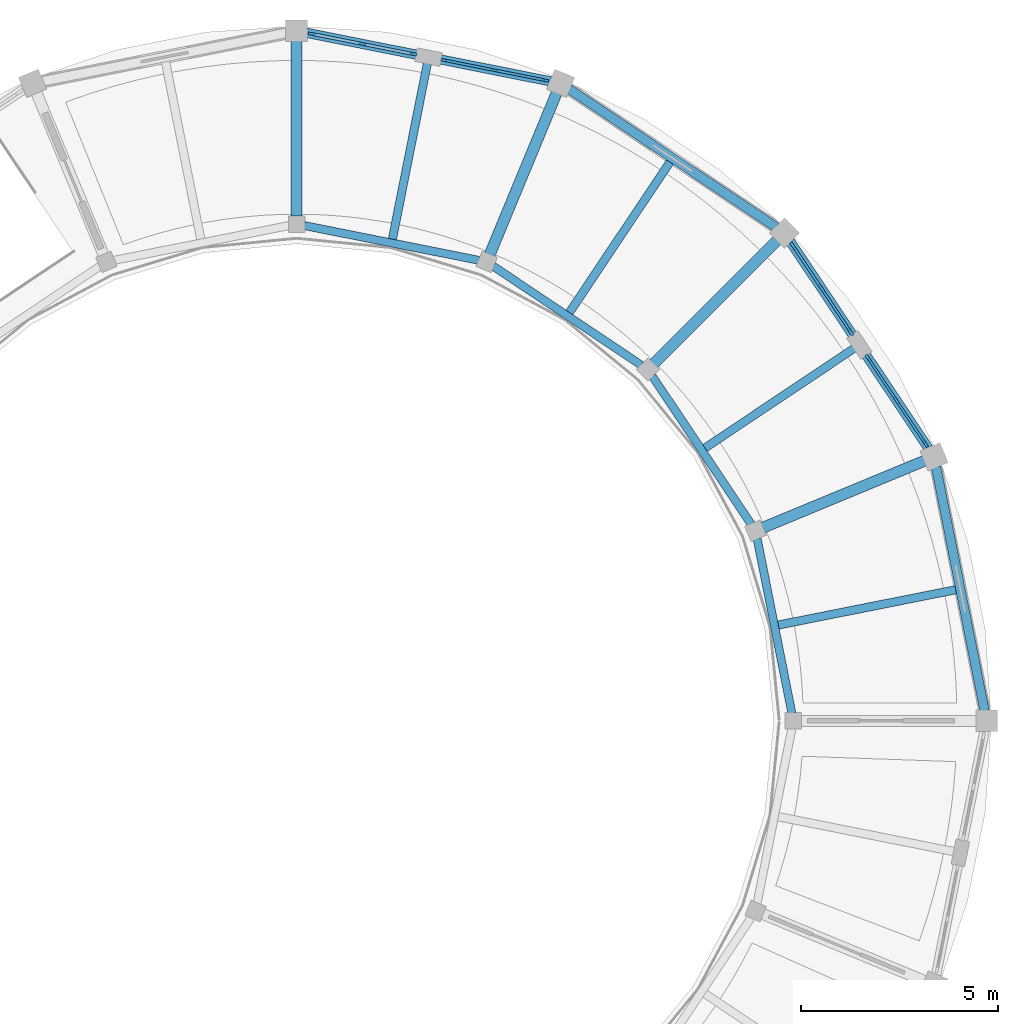
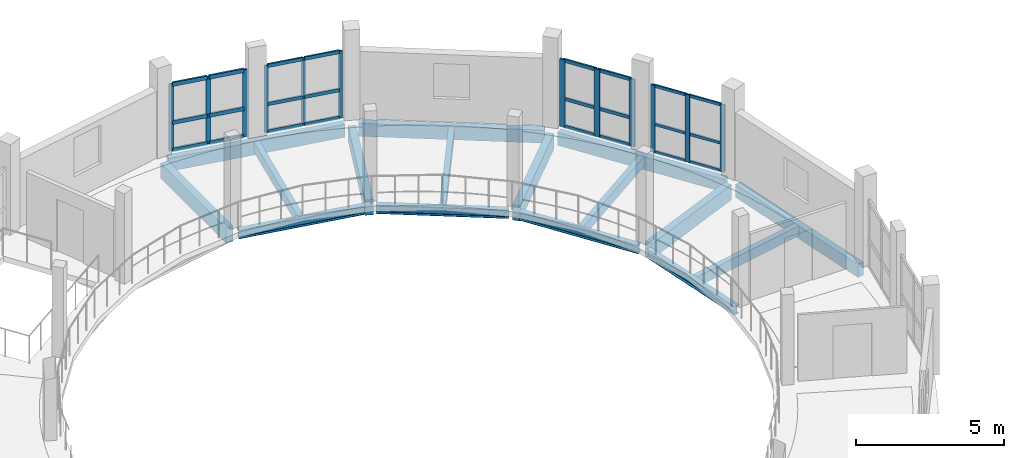
# One storey, part 44 of 77: 36 members, 16 beams, 4 elements without a shape of their own.
"""IFC4 building model written with IfcOpenShell, lengths in metres."""

from ifc_helpers import new_model, si_unit, direction, frame, origin, origin_2d, place, context, subcontext, project, spatial, rectangle, i_section, extrude, material, layer, layer_set, material_profile, profile_set, type_object, element, aggregate, save


model = new_model("IFC4")

# Units and contexts
model_context = context("Model", 3, precision=1e-05, world=origin(), true_north=direction((0.0, 1.0)))
body_context = subcontext(model_context, "Body", "Model", "MODEL_VIEW")
ifc_project = project(units=[si_unit("LENGTHUNIT", "METRE"), si_unit("AREAUNIT", "SQUARE_METRE"), si_unit("VOLUMEUNIT", "CUBIC_METRE"), si_unit("PLANEANGLEUNIT", "RADIAN"), si_unit("MASSUNIT", "GRAM", prefix="KILO")], contexts=[model_context])

# Site, building, storey
site_placement = place(None, origin())
site = spatial("IfcSite", under=ifc_project, at=site_placement, CompositionType="ELEMENT")
building_placement = place(site_placement, origin())
building = spatial("IfcBuilding", under=site, at=building_placement, Name="Caldaven Crescent School", CompositionType="ELEMENT")
storey_placement = place(building_placement, frame((0.0, 0.0, 4.419921875)))
storey = spatial("IfcBuildingStorey", under=building, at=storey_placement, Name="L01", CompositionType="ELEMENT", Elevation=4.419921875)

# Beams
ifc_material_1 = material(Name="Glulam MLE24h (GL28h)", Category="wood")
ifc_material_profile_1 = material_profile(ifc_material_1, rectangle(XDim=0.280029296875, YDim=0.6298828125, at=origin_2d()), Name="MLE 280x630")
ifc_profile_set_1 = profile_set([ifc_material_profile_1], Name="Glulam MLE24h (GL28h)")
beam_type_1 = type_object("IfcBeamType", Name="BM-GL63", PredefinedType="BEAM", material=ifc_profile_set_1)
beam_1_placement = place(storey_placement, frame((164.32568359375, 103.3984375, -0.534912109375), z_axis=(0.923891512961, 0.382654507719, 0.0), x_axis=(-0.382654507719, 0.923891512961, 0.0)))
element("IfcBeam", 1, at=beam_1_placement, inside=storey, type_object=beam_type_1, Name="BM-V1-L01-0086", PredefinedType="BEAM", context=body_context, shape_type="SweptSolid", body=[
    extrude(rectangle(XDim=0.280029296875, YDim=0.6298828125, at=origin_2d()), origin(), (0.0, 0.0, 1.0), 4.43994140625),
])
beam_2_placement = place(storey_placement, frame((161.551025390625, 107.551025390625, -0.534912109375), z_axis=(0.707106781187, 0.707106781187, 0.0), x_axis=(-0.707106781187, 0.707106781187, 0.0)))
element("IfcBeam", 2, at=beam_2_placement, inside=storey, type_object=beam_type_1, Name="BM-V1-L01-0090", PredefinedType="BEAM", context=body_context, shape_type="SweptSolid", body=[
    extrude(rectangle(XDim=0.280029296875, YDim=0.6298828125, at=origin_2d()), origin(), (0.0, 0.0, 1.0), 4.439697265625),
])
for number, where, z_axis, x_axis, name in (
    (3, (157.3984375, 110.32568359375, -0.534912109375), (0.382654507719, 0.923891512961, 0.0), (-0.923891512961, 0.382654507719, 0.0), "BM-V1-L01-0094"),
    (4, (152.5, 111.300048828125, -0.534912109375), (0.0, 1.0, 0.0), (-1.0, 0.0, 0.0), "BM-V1-L01-0098"),
):
    element("IfcBeam", number, at=place(storey_placement, frame(where, z_axis=z_axis, x_axis=x_axis)), inside=storey, type_object=beam_type_1, Name=name, PredefinedType="BEAM", context=body_context, shape_type="SweptSolid", body=[
        extrude(rectangle(XDim=0.280029296875, YDim=0.6298828125, at=origin_2d()), origin(), (0.0, 0.0, 1.0), 4.43994140625),
    ])
ifc_material_2 = material(Name="Steel ASTM A572 Grade 50", Category="steel")
ifc_material_profile_2 = material_profile(ifc_material_2, i_section(OverallWidth=0.205078125, OverallDepth=0.35400390625, WebThickness=0.009521484375, FlangeThickness=0.016845703125, FilletRadius=0.014892578125, at=origin_2d()), Name="W360x79")
ifc_profile_set_2 = profile_set([ifc_material_profile_2], Name="Steel ASTM A572 Grade 50")
beam_type_2 = type_object("IfcBeamType", Name="BM-W36", PredefinedType="BEAM", material=ifc_profile_set_2)
beam_3_placement = place(storey_placement, frame((165.06103515625, 98.696044921875, -0.39697265625), z_axis=(-0.195086890453, 0.980785962977, 0.0), x_axis=(-0.980785962977, -0.195086890453, 0.0)))
element("IfcBeam", 5, at=beam_3_placement, inside=storey, type_object=beam_type_2, Name="BM-V1-L01-0083", PredefinedType="BEAM", context=body_context, shape_type="SweptSolid", body=[
    extrude(i_section(OverallWidth=0.205078125, OverallDepth=0.35400390625, WebThickness=0.009521484375, FlangeThickness=0.016845703125, FilletRadius=0.014892578125, at=origin_2d()), origin(), (0.0, 0.0, 1.0), 4.516357421875),
])
for number, where, z_axis, x_axis, name in (
    (6, (164.02978515625, 103.488037109375, -0.39697265625), (-0.55556067933, 0.831475995794, 0.0), (-0.831475995794, -0.55556067933, 0.0), "BM-V1-L01-0087"),
    (7, (161.2431640625, 107.520751953125, -0.39697265625), (-0.831475995794, 0.55556067933, 0.0), (-0.55556067933, -0.831475995794, 0.0), "BM-V1-L01-0091"),
):
    element("IfcBeam", number, at=place(storey_placement, frame(where, z_axis=z_axis, x_axis=x_axis)), inside=storey, type_object=beam_type_2, Name=name, PredefinedType="BEAM", context=body_context, shape_type="SweptSolid", body=[
        extrude(i_section(OverallWidth=0.205078125, OverallDepth=0.35400390625, WebThickness=0.009521484375, FlangeThickness=0.016845703125, FilletRadius=0.014892578125, at=origin_2d()), origin(), (0.0, 0.0, 1.0), 4.51611328125),
    ])
beam_4_placement = place(storey_placement, frame((157.125732421875, 110.179931640625, -0.39697265625), z_axis=(-0.980785962977, 0.195086890453, 0.0), x_axis=(-0.195086890453, -0.980785962977, 0.0)))
element("IfcBeam", 8, at=beam_4_placement, inside=storey, type_object=beam_type_2, Name="BM-V1-L01-0095", PredefinedType="BEAM", context=body_context, shape_type="SweptSolid", body=[
    extrude(i_section(OverallWidth=0.205078125, OverallDepth=0.35400390625, WebThickness=0.009521484375, FlangeThickness=0.016845703125, FilletRadius=0.014892578125, at=origin_2d()), origin(), (0.0, 0.0, 1.0), 4.516357421875),
])

# Curtain wall, members
ifc_material_3 = material(Name="Anodised aluminium AA 6063-T6 and low-E double glazing", Category="aluminium")
ifc_layer_1 = layer(ifc_material_3, 0.22998046875)
ifc_layer_set_1 = layer_set([ifc_layer_1], Name="Anodised aluminium AA 6063-T6 and low-E double glazing")
curtain_wall_type_1 = type_object("IfcCurtainWallType", Name="CW-SYS4", PredefinedType="NOTDEFINED", material=ifc_layer_set_1)
curtain_wall_1_placement = place(storey_placement, origin())
curtain_wall_1 = element("IfcCurtainWall", 9, at=curtain_wall_1_placement, inside=storey, type_object=curtain_wall_type_1, Name="CW-L01-019", PredefinedType="NOTDEFINED")
ifc_material_4 = material(Name="Anodised aluminium AA 6063-T6", Category="aluminium")
ifc_material_profile_3 = material_profile(ifc_material_4, rectangle(XDim=0.06005859375, YDim=0.14990234375, at=origin_2d()), Name="CWM 60x150")
ifc_profile_set_3 = profile_set([ifc_material_profile_3], Name="Anodised aluminium AA 6063-T6")
member_type_1 = type_object("IfcMemberType", Name="CWM-T1", PredefinedType="MULLION", material=ifc_profile_set_3)
member_1_placement = place(storey_placement, frame((158.814453125, 114.743896484375, 0.0), z_axis=(0.0, 0.0, 1.0), x_axis=(-0.195090276825, -0.980785289392, 0.0)))
member_1 = element("IfcMember", 10, at=member_1_placement, type_object=member_type_1, Name="CW4 mullion 1", PredefinedType="MULLION", context=body_context, shape_type="SweptSolid", body=[
    extrude(rectangle(XDim=0.06005859375, YDim=0.14990234375, at=origin_2d()), origin(), (0.0, 0.0, 1.0), 2.780029296875),
])
member_2_placement = place(storey_placement, frame((157.522705078125, 115.0009765625, 0.0), z_axis=(0.0, 0.0, 1.0), x_axis=(-0.195090276825, -0.980785289392, 0.0)))
member_2 = element("IfcMember", 11, at=member_2_placement, type_object=member_type_1, Name="CW4 mullion 2", PredefinedType="MULLION", context=body_context, shape_type="SweptSolid", body=[
    extrude(rectangle(XDim=0.06005859375, YDim=0.14990234375, at=origin_2d()), origin(), (0.0, 0.0, 1.0), 2.780029296875),
])
member_3_placement = place(storey_placement, frame((156.23095703125, 115.2578125, 0.0), z_axis=(0.0, 0.0, 1.0), x_axis=(-0.195090276825, -0.980785289392, 0.0)))
member_3 = element("IfcMember", 12, at=member_3_placement, type_object=member_type_1, Name="CW4 mullion 3", PredefinedType="MULLION", context=body_context, shape_type="SweptSolid", body=[
    extrude(rectangle(XDim=0.06005859375, YDim=0.14990234375, at=origin_2d()), origin(), (0.0, 0.0, 1.0), 2.780029296875),
])

ifc_layer_2 = layer(ifc_material_3, 0.18994140625)
ifc_layer_set_2 = layer_set([ifc_layer_2], Name="Anodised aluminium AA 6063-T6 and low-E double glazing")
curtain_wall_type_2 = type_object("IfcCurtainWallType", Name="CW-SYS2", PredefinedType="NOTDEFINED", material=ifc_layer_set_2)
curtain_wall_2_placement = place(storey_placement, origin())
curtain_wall_2 = element("IfcCurtainWall", 13, at=curtain_wall_2_placement, inside=storey, type_object=curtain_wall_type_2, Name="CW-L01-017", PredefinedType="NOTDEFINED")
ifc_material_profile_4 = material_profile(ifc_material_4, rectangle(XDim=0.06494140625, YDim=0.179931640625, at=origin_2d()), Name="CWM 65x180")
ifc_profile_set_4 = profile_set([ifc_material_profile_4], Name="Anodised aluminium AA 6063-T6")
member_type_2 = type_object("IfcMemberType", Name="CWM-T2", PredefinedType="MULLION", material=ifc_profile_set_4)
member_4_placement = place(storey_placement, frame((168.449951171875, 105.523193359375, 0.0), z_axis=(0.0, 0.0, 1.0), x_axis=(-0.83147022235, -0.555569320019, 0.0)))
member_4 = element("IfcMember", 14, at=member_4_placement, type_object=member_type_2, Name="CW2 mullion 1", PredefinedType="MULLION", context=body_context, shape_type="SweptSolid", body=[
    extrude(rectangle(XDim=0.06494140625, YDim=0.179931640625, at=origin_2d()), origin(), (0.0, 0.0, 1.0), 2.780029296875),
])
member_5_placement = place(storey_placement, frame((167.719482421875, 106.6162109375, 0.0), z_axis=(0.0, 0.0, 1.0), x_axis=(-0.83147022235, -0.555569320019, 0.0)))
member_5 = element("IfcMember", 15, at=member_5_placement, type_object=member_type_2, Name="CW2 mullion 2", PredefinedType="MULLION", context=body_context, shape_type="SweptSolid", body=[
    extrude(rectangle(XDim=0.06494140625, YDim=0.179931640625, at=origin_2d()), origin(), (0.0, 0.0, 1.0), 2.780029296875),
])
member_6_placement = place(storey_placement, frame((166.9892578125, 107.709228515625, 0.0), z_axis=(0.0, 0.0, 1.0), x_axis=(-0.83147022235, -0.555569320019, 0.0)))
member_6 = element("IfcMember", 16, at=member_6_placement, type_object=member_type_2, Name="CW2 mullion 3", PredefinedType="MULLION", context=body_context, shape_type="SweptSolid", body=[
    extrude(rectangle(XDim=0.06494140625, YDim=0.179931640625, at=origin_2d()), origin(), (0.0, 0.0, 1.0), 2.780029296875),
])

ifc_layer_3 = layer(ifc_material_3, 0.169921875)
ifc_layer_set_3 = layer_set([ifc_layer_3], Name="Anodised aluminium AA 6063-T6 and low-E double glazing")
curtain_wall_type_3 = type_object("IfcCurtainWallType", Name="CW-SYS1", PredefinedType="NOTDEFINED", material=ifc_layer_set_3)
curtain_wall_3_placement = place(storey_placement, origin())
curtain_wall_3 = element("IfcCurtainWall", 17, at=curtain_wall_3_placement, inside=storey, type_object=curtain_wall_type_3, Name="CW-L01-020", PredefinedType="NOTDEFINED")
member_7_placement = place(storey_placement, frame((155.463623046875, 115.410400390625, 0.0), z_axis=(0.0, 0.0, 1.0), x_axis=(-0.195090276825, -0.980785289392, 0.0)))
member_7 = element("IfcMember", 18, at=member_7_placement, type_object=member_type_2, Name="CW1 mullion 1", PredefinedType="MULLION", context=body_context, shape_type="SweptSolid", body=[
    extrude(rectangle(XDim=0.06494140625, YDim=0.179931640625, at=origin_2d()), origin(), (0.0, 0.0, 1.0), 2.780029296875),
])
member_8_placement = place(storey_placement, frame((154.17431640625, 115.6669921875, 0.0), z_axis=(0.0, 0.0, 1.0), x_axis=(-0.195090276825, -0.980785289392, 0.0)))
member_8 = element("IfcMember", 19, at=member_8_placement, type_object=member_type_2, Name="CW1 mullion 2", PredefinedType="MULLION", context=body_context, shape_type="SweptSolid", body=[
    extrude(rectangle(XDim=0.06494140625, YDim=0.179931640625, at=origin_2d()), origin(), (0.0, 0.0, 1.0), 2.780029296875),
])
member_9_placement = place(storey_placement, frame((152.885009765625, 115.92333984375, 0.0), z_axis=(0.0, 0.0, 1.0), x_axis=(-0.195090276825, -0.980785289392, 0.0)))
member_9 = element("IfcMember", 20, at=member_9_placement, type_object=member_type_2, Name="CW1 mullion 3", PredefinedType="MULLION", context=body_context, shape_type="SweptSolid", body=[
    extrude(rectangle(XDim=0.06494140625, YDim=0.179931640625, at=origin_2d()), origin(), (0.0, 0.0, 1.0), 2.780029296875),
])

ifc_layer_4 = layer(ifc_material_3, 0.2099609375)
ifc_layer_set_4 = layer_set([ifc_layer_4], Name="Anodised aluminium AA 6063-T6 and low-E double glazing")
curtain_wall_type_4 = type_object("IfcCurtainWallType", Name="CW-SYS3", PredefinedType="NOTDEFINED", material=ifc_layer_set_4)
curtain_wall_4_placement = place(storey_placement, origin())
curtain_wall_4 = element("IfcCurtainWall", 21, at=curtain_wall_4_placement, inside=storey, type_object=curtain_wall_type_4, Name="CW-L01-018", PredefinedType="NOTDEFINED")
ifc_material_profile_5 = material_profile(ifc_material_4, rectangle(XDim=0.070068359375, YDim=0.2099609375, at=origin_2d()), Name="CWM 70x210")
ifc_profile_set_5 = profile_set([ifc_material_profile_5], Name="Anodised aluminium AA 6063-T6")
member_type_3 = type_object("IfcMemberType", Name="CWM-T3", PredefinedType="MULLION", material=ifc_profile_set_5)
member_10_placement = place(storey_placement, frame((166.5517578125, 108.364013671875, 0.0), z_axis=(0.0, 0.0, 1.0), x_axis=(-0.831468507711, -0.555571886154, 0.0)))
member_10 = element("IfcMember", 22, at=member_10_placement, type_object=member_type_3, Name="CW3 mullion 1", PredefinedType="MULLION", context=body_context, shape_type="SweptSolid", body=[
    extrude(rectangle(XDim=0.070068359375, YDim=0.2099609375, at=origin_2d()), origin(), (0.0, 0.0, 1.0), 2.780029296875),
])
member_11_placement = place(storey_placement, frame((165.82275390625, 109.455078125, 0.0), z_axis=(0.0, 0.0, 1.0), x_axis=(-0.831468507711, -0.555571886154, 0.0)))
member_11 = element("IfcMember", 23, at=member_11_placement, type_object=member_type_3, Name="CW3 mullion 2", PredefinedType="MULLION", context=body_context, shape_type="SweptSolid", body=[
    extrude(rectangle(XDim=0.070068359375, YDim=0.2099609375, at=origin_2d()), origin(), (0.0, 0.0, 1.0), 2.780029296875),
])
member_12_placement = place(storey_placement, frame((165.09375, 110.5458984375, 0.0), z_axis=(0.0, 0.0, 1.0), x_axis=(-0.831468507711, -0.555571886154, 0.0)))
member_12 = element("IfcMember", 24, at=member_12_placement, type_object=member_type_3, Name="CW3 mullion 3", PredefinedType="MULLION", context=body_context, shape_type="SweptSolid", body=[
    extrude(rectangle(XDim=0.070068359375, YDim=0.2099609375, at=origin_2d()), origin(), (0.0, 0.0, 1.0), 2.780029296875),
])

# Member
ifc_material_profile_6 = material_profile(ifc_material_4, rectangle(XDim=0.06005859375, YDim=0.1201171875, at=origin_2d()), Name="CWT 60x120")
ifc_profile_set_6 = profile_set([ifc_material_profile_6], Name="Anodised aluminium AA 6063-T6")
member_type_4 = type_object("IfcMemberType", Name="CWT-T1", PredefinedType="USERDEFINED", material=ifc_profile_set_6)
member_13_placement = place(storey_placement, frame((168.431884765625, 105.55029296875, 0.030029296875), z_axis=(-0.555601528316, 0.831448700602, 0.0), x_axis=(-0.831448700602, -0.555601528316, 0.0)))
member_13 = element("IfcMember", 25, at=member_13_placement, type_object=member_type_4, Name="CW2 transom 1.1", ObjectType="TRANSOM", PredefinedType="USERDEFINED", context=body_context, shape_type="SweptSolid", body=[
    extrude(rectangle(XDim=0.06005859375, YDim=0.1201171875, at=origin_2d()), origin(), (0.0, 0.0, 1.0), 1.249755859375),
])

member_14_placement = place(storey_placement, frame((168.431884765625, 105.55029296875, 1.16796875), z_axis=(-0.555601528316, 0.831448700602, 0.0), x_axis=(-0.831448700602, -0.555601528316, 0.0)))
member_14 = element("IfcMember", 26, at=member_14_placement, type_object=member_type_4, Name="CW2 transom 1.2", ObjectType="TRANSOM", PredefinedType="USERDEFINED", context=body_context, shape_type="SweptSolid", body=[
    extrude(rectangle(XDim=0.06005859375, YDim=0.1201171875, at=origin_2d()), origin(), (0.0, 0.0, 1.0), 1.249755859375),
])

member_15_placement = place(storey_placement, frame((168.431884765625, 105.55029296875, 2.75), z_axis=(-0.555601528316, 0.831448700602, 0.0), x_axis=(-0.831448700602, -0.555601528316, 0.0)))
member_15 = element("IfcMember", 27, at=member_15_placement, type_object=member_type_4, Name="CW2 transom 1.3", ObjectType="TRANSOM", PredefinedType="USERDEFINED", context=body_context, shape_type="SweptSolid", body=[
    extrude(rectangle(XDim=0.06005859375, YDim=0.1201171875, at=origin_2d()), origin(), (0.0, 0.0, 1.0), 1.249755859375),
])

member_16_placement = place(storey_placement, frame((167.701416015625, 106.643310546875, 0.030029296875), z_axis=(-0.555466453164, 0.831538946418, 0.0), x_axis=(-0.831538946418, -0.555466453164, 0.0)))
member_16 = element("IfcMember", 28, at=member_16_placement, type_object=member_type_4, Name="CW2 transom 2.1", ObjectType="TRANSOM", PredefinedType="USERDEFINED", context=body_context, shape_type="SweptSolid", body=[
    extrude(rectangle(XDim=0.06005859375, YDim=0.1201171875, at=origin_2d()), origin(), (0.0, 0.0, 1.0), 1.24951171875),
])

member_17_placement = place(storey_placement, frame((167.701416015625, 106.643310546875, 1.16796875), z_axis=(-0.555466453164, 0.831538946418, 0.0), x_axis=(-0.831538946418, -0.555466453164, 0.0)))
member_17 = element("IfcMember", 29, at=member_17_placement, type_object=member_type_4, Name="CW2 transom 2.2", ObjectType="TRANSOM", PredefinedType="USERDEFINED", context=body_context, shape_type="SweptSolid", body=[
    extrude(rectangle(XDim=0.06005859375, YDim=0.1201171875, at=origin_2d()), origin(), (0.0, 0.0, 1.0), 1.24951171875),
])

member_18_placement = place(storey_placement, frame((167.701416015625, 106.643310546875, 2.75), z_axis=(-0.555466453164, 0.831538946418, 0.0), x_axis=(-0.831538946418, -0.555466453164, 0.0)))
member_18 = element("IfcMember", 30, at=member_18_placement, type_object=member_type_4, Name="CW2 transom 2.3", ObjectType="TRANSOM", PredefinedType="USERDEFINED", context=body_context, shape_type="SweptSolid", body=[
    extrude(rectangle(XDim=0.06005859375, YDim=0.1201171875, at=origin_2d()), origin(), (0.0, 0.0, 1.0), 1.24951171875),
])

aggregate(curtain_wall_2, [member_4, member_5, member_6, member_13, member_14, member_15, member_16, member_17, member_18])

ifc_material_profile_7 = material_profile(ifc_material_4, rectangle(XDim=0.06494140625, YDim=0.139892578125, at=origin_2d()), Name="CWT 65x140")
ifc_profile_set_7 = profile_set([ifc_material_profile_7], Name="Anodised aluminium AA 6063-T6")
member_type_5 = type_object("IfcMemberType", Name="CWT-T2", PredefinedType="USERDEFINED", material=ifc_profile_set_7)
member_19_placement = place(storey_placement, frame((166.5322265625, 108.393310546875, 0.032470703125), z_axis=(-0.555516464837, 0.831505536539, 0.0), x_axis=(-0.831505536539, -0.555516464837, 0.0)))
member_19 = element("IfcMember", 31, at=member_19_placement, type_object=member_type_5, Name="CW3 transom 1.1", ObjectType="TRANSOM", PredefinedType="USERDEFINED", context=body_context, shape_type="SweptSolid", body=[
    extrude(rectangle(XDim=0.06494140625, YDim=0.139892578125, at=origin_2d()), origin(), (0.0, 0.0, 1.0), 1.241943359375),
])

member_20_placement = place(storey_placement, frame((166.5322265625, 108.393310546875, 1.16796875), z_axis=(-0.555516464837, 0.831505536539, 0.0), x_axis=(-0.831505536539, -0.555516464837, 0.0)))
member_20 = element("IfcMember", 32, at=member_20_placement, type_object=member_type_5, Name="CW3 transom 1.2", ObjectType="TRANSOM", PredefinedType="USERDEFINED", context=body_context, shape_type="SweptSolid", body=[
    extrude(rectangle(XDim=0.06494140625, YDim=0.139892578125, at=origin_2d()), origin(), (0.0, 0.0, 1.0), 1.241943359375),
])

member_21_placement = place(storey_placement, frame((166.5322265625, 108.393310546875, 2.74755859375), z_axis=(-0.555516464837, 0.831505536539, 0.0), x_axis=(-0.831505536539, -0.555516464837, 0.0)))
member_21 = element("IfcMember", 33, at=member_21_placement, type_object=member_type_5, Name="CW3 transom 1.3", ObjectType="TRANSOM", PredefinedType="USERDEFINED", context=body_context, shape_type="SweptSolid", body=[
    extrude(rectangle(XDim=0.06494140625, YDim=0.139892578125, at=origin_2d()), origin(), (0.0, 0.0, 1.0), 1.241943359375),
])

member_22_placement = place(storey_placement, frame((165.80322265625, 109.484130859375, 0.032470703125), z_axis=(-0.555516464837, 0.831505536539, 0.0), x_axis=(-0.831505536539, -0.555516464837, 0.0)))
member_22 = element("IfcMember", 34, at=member_22_placement, type_object=member_type_5, Name="CW3 transom 2.1", ObjectType="TRANSOM", PredefinedType="USERDEFINED", context=body_context, shape_type="SweptSolid", body=[
    extrude(rectangle(XDim=0.06494140625, YDim=0.139892578125, at=origin_2d()), origin(), (0.0, 0.0, 1.0), 1.241943359375),
])

member_23_placement = place(storey_placement, frame((165.80322265625, 109.484130859375, 1.16796875), z_axis=(-0.555516464837, 0.831505536539, 0.0), x_axis=(-0.831505536539, -0.555516464837, 0.0)))
member_23 = element("IfcMember", 35, at=member_23_placement, type_object=member_type_5, Name="CW3 transom 2.2", ObjectType="TRANSOM", PredefinedType="USERDEFINED", context=body_context, shape_type="SweptSolid", body=[
    extrude(rectangle(XDim=0.06494140625, YDim=0.139892578125, at=origin_2d()), origin(), (0.0, 0.0, 1.0), 1.241943359375),
])

member_24_placement = place(storey_placement, frame((165.80322265625, 109.484130859375, 2.74755859375), z_axis=(-0.555516464837, 0.831505536539, 0.0), x_axis=(-0.831505536539, -0.555516464837, 0.0)))
member_24 = element("IfcMember", 36, at=member_24_placement, type_object=member_type_5, Name="CW3 transom 2.3", ObjectType="TRANSOM", PredefinedType="USERDEFINED", context=body_context, shape_type="SweptSolid", body=[
    extrude(rectangle(XDim=0.06494140625, YDim=0.139892578125, at=origin_2d()), origin(), (0.0, 0.0, 1.0), 1.241943359375),
])

aggregate(curtain_wall_4, [member_10, member_11, member_12, member_19, member_20, member_21, member_22, member_23, member_24])

member_25_placement = place(storey_placement, frame((158.784912109375, 114.749755859375, 0.032470703125), z_axis=(-0.980759571954, 0.195219522641, 0.0), x_axis=(-0.195219522641, -0.980759571954, 0.0)))
member_25 = element("IfcMember", 37, at=member_25_placement, type_object=member_type_5, Name="CW4 transom 1.1", ObjectType="TRANSOM", PredefinedType="USERDEFINED", context=body_context, shape_type="SweptSolid", body=[
    extrude(rectangle(XDim=0.06494140625, YDim=0.139892578125, at=origin_2d()), origin(), (0.0, 0.0, 1.0), 1.2568359375),
])

member_26_placement = place(storey_placement, frame((158.784912109375, 114.749755859375, 1.16796875), z_axis=(-0.980759571954, 0.195219522641, 0.0), x_axis=(-0.195219522641, -0.980759571954, 0.0)))
member_26 = element("IfcMember", 38, at=member_26_placement, type_object=member_type_5, Name="CW4 transom 1.2", ObjectType="TRANSOM", PredefinedType="USERDEFINED", context=body_context, shape_type="SweptSolid", body=[
    extrude(rectangle(XDim=0.06494140625, YDim=0.139892578125, at=origin_2d()), origin(), (0.0, 0.0, 1.0), 1.2568359375),
])

member_27_placement = place(storey_placement, frame((158.784912109375, 114.749755859375, 2.74755859375), z_axis=(-0.980759571954, 0.195219522641, 0.0), x_axis=(-0.195219522641, -0.980759571954, 0.0)))
member_27 = element("IfcMember", 39, at=member_27_placement, type_object=member_type_5, Name="CW4 transom 1.3", ObjectType="TRANSOM", PredefinedType="USERDEFINED", context=body_context, shape_type="SweptSolid", body=[
    extrude(rectangle(XDim=0.06494140625, YDim=0.139892578125, at=origin_2d()), origin(), (0.0, 0.0, 1.0), 1.2568359375),
])

member_28_placement = place(storey_placement, frame((157.493408203125, 115.0068359375, 0.032470703125), z_axis=(-0.980804133939, 0.194995514945, 0.0), x_axis=(-0.194995514945, -0.980804133939, 0.0)))
member_28 = element("IfcMember", 40, at=member_28_placement, type_object=member_type_5, Name="CW4 transom 2.1", ObjectType="TRANSOM", PredefinedType="USERDEFINED", context=body_context, shape_type="SweptSolid", body=[
    extrude(rectangle(XDim=0.06494140625, YDim=0.139892578125, at=origin_2d()), origin(), (0.0, 0.0, 1.0), 1.257080078125),
])

member_29_placement = place(storey_placement, frame((157.493408203125, 115.0068359375, 1.16796875), z_axis=(-0.980804133939, 0.194995514945, 0.0), x_axis=(-0.194995514945, -0.980804133939, 0.0)))
member_29 = element("IfcMember", 41, at=member_29_placement, type_object=member_type_5, Name="CW4 transom 2.2", ObjectType="TRANSOM", PredefinedType="USERDEFINED", context=body_context, shape_type="SweptSolid", body=[
    extrude(rectangle(XDim=0.06494140625, YDim=0.139892578125, at=origin_2d()), origin(), (0.0, 0.0, 1.0), 1.257080078125),
])

member_30_placement = place(storey_placement, frame((157.493408203125, 115.0068359375, 2.74755859375), z_axis=(-0.980804133939, 0.194995514945, 0.0), x_axis=(-0.194995514945, -0.980804133939, 0.0)))
member_30 = element("IfcMember", 42, at=member_30_placement, type_object=member_type_5, Name="CW4 transom 2.3", ObjectType="TRANSOM", PredefinedType="USERDEFINED", context=body_context, shape_type="SweptSolid", body=[
    extrude(rectangle(XDim=0.06494140625, YDim=0.139892578125, at=origin_2d()), origin(), (0.0, 0.0, 1.0), 1.257080078125),
])

aggregate(curtain_wall_1, [member_1, member_2, member_3, member_25, member_26, member_27, member_28, member_29, member_30])

ifc_material_profile_8 = material_profile(ifc_material_4, rectangle(XDim=0.070068359375, YDim=0.159912109375, at=origin_2d()), Name="CWT 70x160")
ifc_profile_set_8 = profile_set([ifc_material_profile_8], Name="Anodised aluminium AA 6063-T6")
member_type_6 = type_object("IfcMemberType", Name="CWT-T3", PredefinedType="USERDEFINED", material=ifc_profile_set_8)
member_31_placement = place(storey_placement, frame((155.431640625, 115.416748046875, 0.03515625), z_axis=(-0.980768083638, 0.195176756087, 0.0), x_axis=(-0.195176756087, -0.980768083638, 0.0)))
member_31 = element("IfcMember", 43, at=member_31_placement, type_object=member_type_6, Name="CW1 transom 1.1", ObjectType="TRANSOM", PredefinedType="USERDEFINED", context=body_context, shape_type="SweptSolid", body=[
    extrude(rectangle(XDim=0.070068359375, YDim=0.159912109375, at=origin_2d()), origin(), (0.0, 0.0, 1.0), 1.24951171875),
])

member_32_placement = place(storey_placement, frame((155.431640625, 115.416748046875, 1.16796875), z_axis=(-0.980768083638, 0.195176756087, 0.0), x_axis=(-0.195176756087, -0.980768083638, 0.0)))
member_32 = element("IfcMember", 44, at=member_32_placement, type_object=member_type_6, Name="CW1 transom 1.2", ObjectType="TRANSOM", PredefinedType="USERDEFINED", context=body_context, shape_type="SweptSolid", body=[
    extrude(rectangle(XDim=0.070068359375, YDim=0.159912109375, at=origin_2d()), origin(), (0.0, 0.0, 1.0), 1.24951171875),
])

member_33_placement = place(storey_placement, frame((155.431640625, 115.416748046875, 2.7451171875), z_axis=(-0.980768083638, 0.195176756087, 0.0), x_axis=(-0.195176756087, -0.980768083638, 0.0)))
member_33 = element("IfcMember", 45, at=member_33_placement, type_object=member_type_6, Name="CW1 transom 1.3", ObjectType="TRANSOM", PredefinedType="USERDEFINED", context=body_context, shape_type="SweptSolid", body=[
    extrude(rectangle(XDim=0.070068359375, YDim=0.159912109375, at=origin_2d()), origin(), (0.0, 0.0, 1.0), 1.24951171875),
])

member_34_placement = place(storey_placement, frame((154.142333984375, 115.67333984375, 0.03515625), z_axis=(-0.980805465802, 0.194988815711, 0.0), x_axis=(-0.194988815711, -0.980805465802, 0.0)))
member_34 = element("IfcMember", 46, at=member_34_placement, type_object=member_type_6, Name="CW1 transom 2.1", ObjectType="TRANSOM", PredefinedType="USERDEFINED", context=body_context, shape_type="SweptSolid", body=[
    extrude(rectangle(XDim=0.070068359375, YDim=0.159912109375, at=origin_2d()), origin(), (0.0, 0.0, 1.0), 1.24951171875),
])

member_35_placement = place(storey_placement, frame((154.142333984375, 115.67333984375, 1.16796875), z_axis=(-0.980805465802, 0.194988815711, 0.0), x_axis=(-0.194988815711, -0.980805465802, 0.0)))
member_35 = element("IfcMember", 47, at=member_35_placement, type_object=member_type_6, Name="CW1 transom 2.2", ObjectType="TRANSOM", PredefinedType="USERDEFINED", context=body_context, shape_type="SweptSolid", body=[
    extrude(rectangle(XDim=0.070068359375, YDim=0.159912109375, at=origin_2d()), origin(), (0.0, 0.0, 1.0), 1.24951171875),
])

member_36_placement = place(storey_placement, frame((154.142333984375, 115.67333984375, 2.7451171875), z_axis=(-0.980805465802, 0.194988815711, 0.0), x_axis=(-0.194988815711, -0.980805465802, 0.0)))
member_36 = element("IfcMember", 48, at=member_36_placement, type_object=member_type_6, Name="CW1 transom 2.3", ObjectType="TRANSOM", PredefinedType="USERDEFINED", context=body_context, shape_type="SweptSolid", body=[
    extrude(rectangle(XDim=0.070068359375, YDim=0.159912109375, at=origin_2d()), origin(), (0.0, 0.0, 1.0), 1.24951171875),
])

aggregate(curtain_wall_3, [member_7, member_8, member_9, member_31, member_32, member_33, member_34, member_35, member_36])

# Beams
ifc_material_profile_9 = material_profile(ifc_material_1, rectangle(XDim=0.2099609375, YDim=0.419921875, at=origin_2d()), Name="MLE 210x420")
ifc_profile_set_9 = profile_set([ifc_material_profile_9], Name="Glulam MLE24h (GL28h)")
beam_type_3 = type_object("IfcBeamType", Name="JS-GL42", PredefinedType="JOIST", material=ifc_profile_set_9)
for number, where, z_axis, x_axis, name in (
    (49, (164.718505859375, 100.930419921875, -0.429931640625), (0.980791010348, 0.19506151343, 0.0), (-0.19506151343, 0.980791010348, 0.0), "JS-V1-L01-0085"),
    (50, (162.8583984375, 105.421142578125, -0.429931640625), (0.831460118694, 0.555584440946, 0.0), (-0.555584440946, 0.831460118694, 0.0), "JS-V1-L01-0089"),
    (51, (159.421142578125, 108.8583984375, -0.429931640625), (0.555584440946, 0.831460118694, 0.0), (-0.831460118694, 0.555584440946, 0.0), "JS-V1-L01-0093"),
    (52, (154.930419921875, 110.718505859375, -0.429931640625), (0.19506151343, 0.980791010348, 0.0), (-0.980791010348, 0.19506151343, 0.0), "JS-V1-L01-0097"),
):
    element("IfcBeam", number, at=place(storey_placement, frame(where, z_axis=z_axis, x_axis=x_axis)), inside=storey, type_object=beam_type_3, Name=name, PredefinedType="JOIST", context=body_context, shape_type="SweptSolid", body=[
        extrude(rectangle(XDim=0.2099609375, YDim=0.419921875, at=origin_2d()), origin(), (0.0, 0.0, 1.0), 4.5859375),
    ])
ifc_material_profile_10 = material_profile(ifc_material_1, rectangle(XDim=0.239990234375, YDim=0.5400390625, at=origin_2d()), Name="MLE 240x540")
ifc_profile_set_10 = profile_set([ifc_material_profile_10], Name="Glulam MLE24h (GL28h)")
beam_type_4 = type_object("IfcBeamType", Name="SP-GL54", PredefinedType="SPANDREL", material=ifc_profile_set_10)
for number, where, z_axis, x_axis, name in (
    (53, (169.94921875, 98.7548828125, -0.489990234375), (-0.195096382354, 0.980784074908, 0.0), (-0.980784074908, -0.195096382354, 0.0), "BM-V1-L01-0084"),
    (54, (168.5234375, 105.4130859375, -0.489990234375), (-0.555566223399, 0.831472291432, 0.0), (-0.831472291432, -0.555566223399, 0.0), "BM-V1-L01-0088"),
    (55, (164.658203125, 111.018798828125, -0.489990234375), (-0.831472291432, 0.555566223399, 0.0), (-0.555566223399, -0.831472291432, 0.0), "BM-V1-L01-0092"),
    (56, (158.94189453125, 114.718505859375, -0.489990234375), (-0.980784074908, 0.195096382354, 0.0), (-0.195096382354, -0.980784074908, 0.0), "BM-V1-L01-0096"),
):
    element("IfcBeam", number, at=place(storey_placement, frame(where, z_axis=z_axis, x_axis=x_axis)), inside=storey, type_object=beam_type_4, Name=name, PredefinedType="SPANDREL", context=body_context, shape_type="SweptSolid", body=[
        extrude(rectangle(XDim=0.239990234375, YDim=0.5400390625, at=origin_2d()), origin(), (0.0, 0.0, 1.0), 6.308349609375),
    ])

save(model, "model.ifc")
